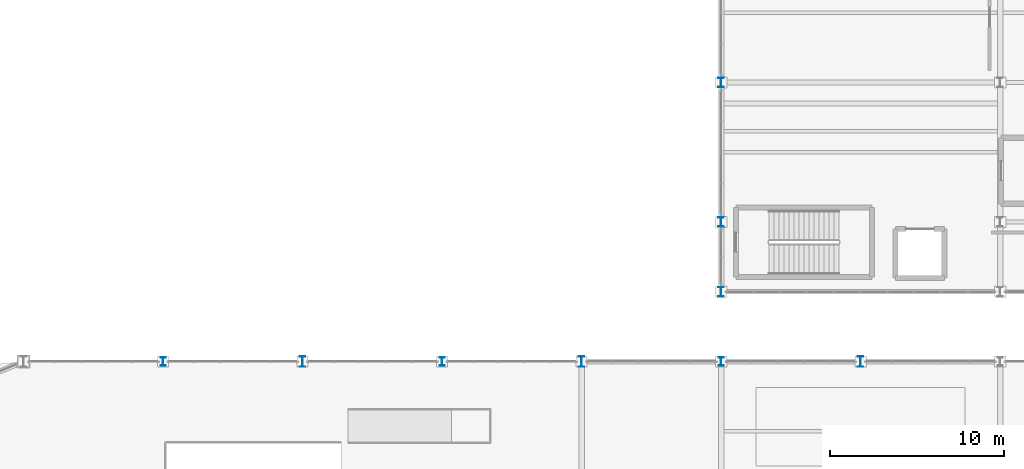
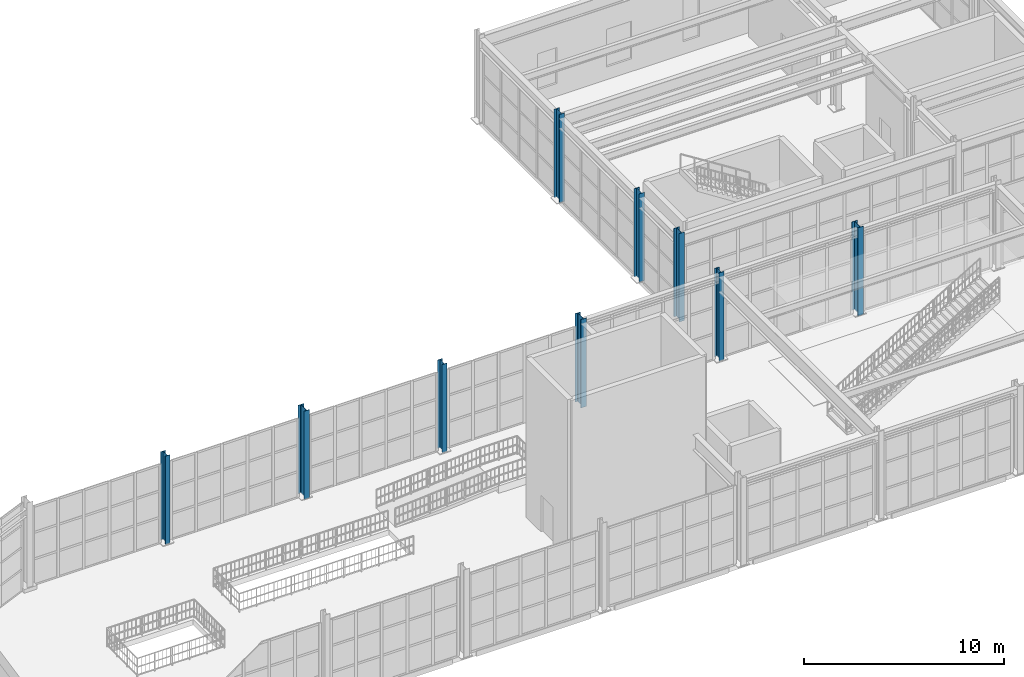
# One storey, part 7 of 82: 9 columns.
"""IFC4 building model written with IfcOpenShell, lengths in metres."""

from ifc_helpers import new_model, si_unit, direction, frame, origin, origin_2d, place, context, subcontext, project, spatial, i_section, extrude, material, material_profile, profile_set, type_object, element, save


model = new_model("IFC4")

# Units and contexts
model_context = context("Model", 3, precision=1e-05, world=origin(), true_north=direction((0.0, 1.0)))
body_context = subcontext(model_context, "Body", "Model", "MODEL_VIEW")
ifc_project = project(units=[si_unit("LENGTHUNIT", "METRE"), si_unit("AREAUNIT", "SQUARE_METRE"), si_unit("VOLUMEUNIT", "CUBIC_METRE"), si_unit("PLANEANGLEUNIT", "RADIAN"), si_unit("MASSUNIT", "GRAM", prefix="KILO")], contexts=[model_context])

# Site, building, storey
site_placement = place(None, origin())
site = spatial("IfcSite", under=ifc_project, at=site_placement, CompositionType="ELEMENT")
building_placement = place(site_placement, origin())
building = spatial("IfcBuilding", under=site, at=building_placement, Name="Serraluz Foothill Cableway Terminal", CompositionType="ELEMENT")
storey_placement = place(building_placement, frame((0.0, 0.0, 9.60009765625)))
storey = spatial("IfcBuildingStorey", under=building, at=storey_placement, Name="L02", CompositionType="ELEMENT", Elevation=9.60009765625)

# Columns
ifc_material = material(Name="Steel ASTM A992 Grade 50", Category="steel")
ifc_material_profile_1 = material_profile(ifc_material, i_section(OverallWidth=0.282958984375, OverallDepth=0.471923828125, WebThickness=0.013671875, FlangeThickness=0.022216796875, FilletRadius=0.014892578125, at=origin_2d()), Name="W18X97")
ifc_profile_set_1 = profile_set([ifc_material_profile_1], Name="Steel ASTM A992 Grade 50")
column_type_1 = type_object("IfcColumnType", Name="TYP-COL-W18X97", PredefinedType="COLUMN", material=ifc_profile_set_1)
for number, where, z_axis, x_axis, name in (
    (1, (48.0, 72.0, 0.0), (0.0, 0.0, 1.0), (1.0, 0.0, 0.0), "Column COL-V1-N-48-L02"),
    (2, (64.0, 72.0, 0.0), (0.0, 0.0, 1.0), (1.0, 0.0, 0.0), "Column COL-V1-N-64-L02"),
    (3, (80.0, 72.0, 0.0), (0.0, 0.0, 1.0), (1.0, 0.0, 0.0), "Column COL-V1-N-80-L02"),
):
    element("IfcColumn", number, at=place(storey_placement, frame(where, z_axis=z_axis, x_axis=x_axis)), inside=storey, type_object=column_type_1, Name=name, PredefinedType="COLUMN", context=body_context, shape_type="SweptSolid", body=[
        extrude(i_section(OverallWidth=0.282958984375, OverallDepth=0.471923828125, WebThickness=0.013671875, FlangeThickness=0.022216796875, FilletRadius=0.014892578125, at=origin_2d()), origin(), (0.0, 0.0, 1.0), 5.39990234375),
    ])
ifc_material_profile_2 = material_profile(ifc_material, i_section(OverallWidth=0.31201171875, OverallDepth=0.54296875, WebThickness=0.0126953125, FlangeThickness=0.020263671875, FilletRadius=0.01611328125, at=origin_2d()), Name="W21X101")
ifc_profile_set_2 = profile_set([ifc_material_profile_2], Name="Steel ASTM A992 Grade 50")
column_type_2 = type_object("IfcColumnType", Name="TYP-COL-W21X101", PredefinedType="COLUMN", material=ifc_profile_set_2)
for number, where, z_axis, x_axis, name in (
    (4, (80.0, 76.0, 0.0), (0.0, 0.0, 1.0), (1.0, 0.0, 0.0), "Column COL-V4-80-760-L02"),
    (5, (80.0, 80.0, 0.0), (0.0, 0.0, 1.0), (1.0, 0.0, 0.0), "Column COL-V4-80-800-L02"),
    (6, (80.0, 88.0, 0.0), (0.0, 0.0, 1.0), (1.0, 0.0, 0.0), "Column COL-V4-80-880-L02"),
):
    element("IfcColumn", number, at=place(storey_placement, frame(where, z_axis=z_axis, x_axis=x_axis)), inside=storey, type_object=column_type_2, Name=name, PredefinedType="COLUMN", context=body_context, shape_type="SweptSolid", body=[
        extrude(i_section(OverallWidth=0.31201171875, OverallDepth=0.54296875, WebThickness=0.0126953125, FlangeThickness=0.020263671875, FilletRadius=0.01611328125, at=origin_2d()), origin(), (0.0, 0.0, 1.0), 5.39990234375),
    ])
ifc_material_profile_3 = material_profile(ifc_material, i_section(OverallWidth=0.324951171875, OverallDepth=0.615966796875, WebThickness=0.013916015625, FlangeThickness=0.021484375, FilletRadius=0.01806640625, at=origin_2d()), Name="W24X117")
ifc_profile_set_3 = profile_set([ifc_material_profile_3], Name="Steel ASTM A992 Grade 50")
column_type_3 = type_object("IfcColumnType", Name="TYP-COL-W24X117", PredefinedType="COLUMN", material=ifc_profile_set_3)
for number, where, z_axis, x_axis, name in (
    (7, (56.0, 72.0, 0.0), (0.0, 0.0, 1.0), (1.0, 0.0, 0.0), "Column COL-V1-N-56-L02"),
    (8, (72.0, 72.0, 0.0), (0.0, 0.0, 1.0), (1.0, 0.0, 0.0), "Column COL-V1-N-72-L02"),
    (9, (88.0, 72.0, 0.0), (0.0, 0.0, 1.0), (1.0, 0.0, 0.0), "Column COL-V1-N-88-L02"),
):
    element("IfcColumn", number, at=place(storey_placement, frame(where, z_axis=z_axis, x_axis=x_axis)), inside=storey, type_object=column_type_3, Name=name, PredefinedType="COLUMN", context=body_context, shape_type="SweptSolid", body=[
        extrude(i_section(OverallWidth=0.324951171875, OverallDepth=0.615966796875, WebThickness=0.013916015625, FlangeThickness=0.021484375, FilletRadius=0.01806640625, at=origin_2d()), origin(), (0.0, 0.0, 1.0), 5.39990234375),
    ])

save(model, "model.ifc")
